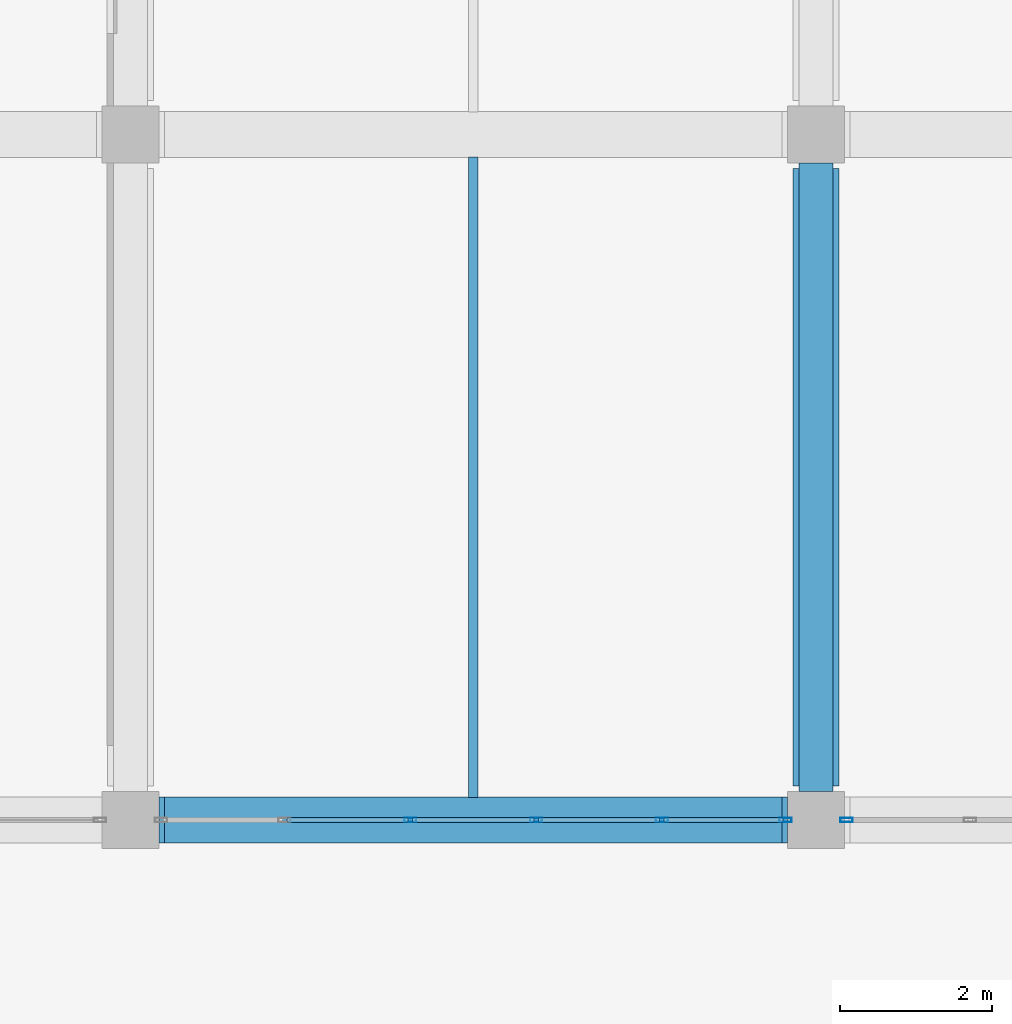
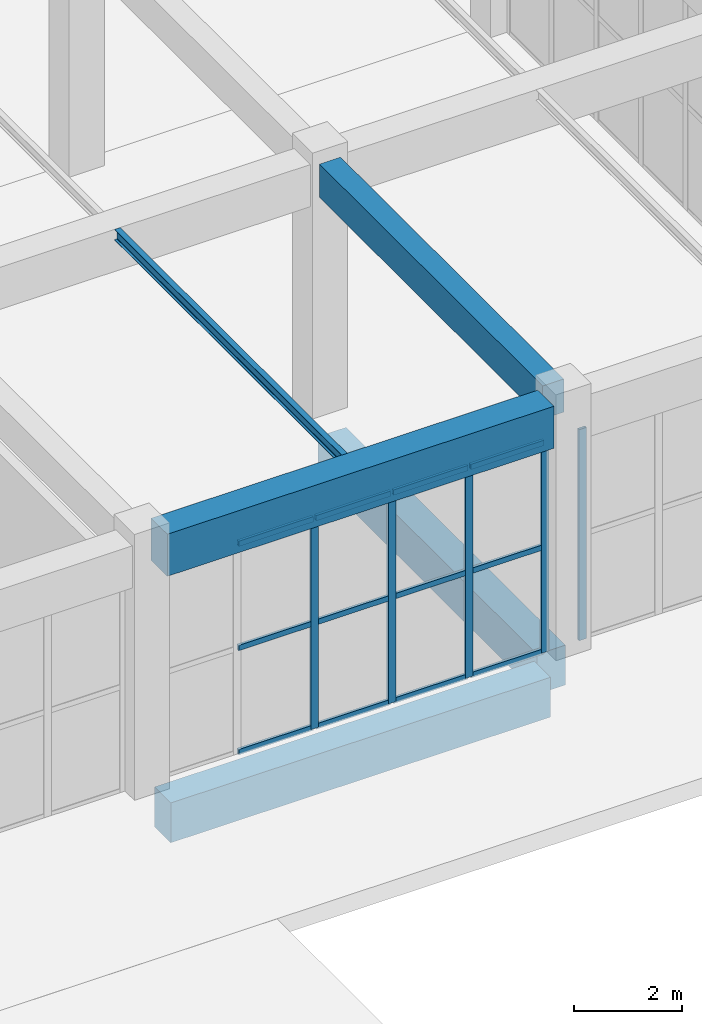
# One storey, part 36 of 91: 17 members, 5 beams, 2 elements without a shape of their own.
"""IFC4 building model written with IfcOpenShell, lengths in metres."""

from ifc_helpers import new_model, si_unit, direction, frame, origin, origin_2d, place, context, subcontext, project, spatial, rectangle, hollow_rectangle, i_section, extrude, material, layer, layer_set, material_profile, profile_set, type_object, element, aggregate, save


model = new_model("IFC4")

# Units and contexts
model_context = context("Model", 3, precision=1e-05, world=origin(), true_north=direction((0.0, 1.0)))
body_context = subcontext(model_context, "Body", "Model", "MODEL_VIEW")
ifc_project = project(units=[si_unit("LENGTHUNIT", "METRE"), si_unit("AREAUNIT", "SQUARE_METRE"), si_unit("VOLUMEUNIT", "CUBIC_METRE"), si_unit("PLANEANGLEUNIT", "RADIAN"), si_unit("MASSUNIT", "GRAM", prefix="KILO")], contexts=[model_context])

# Site, building, storey
site_placement = place(None, origin())
site = spatial("IfcSite", under=ifc_project, at=site_placement, CompositionType="ELEMENT")
building_placement = place(site_placement, origin())
building = spatial("IfcBuilding", under=site, at=building_placement, Name="Dornveld Trade and Exhibition Forum", CompositionType="ELEMENT")
storey_placement = place(building_placement, origin())
storey = spatial("IfcBuildingStorey", under=building, at=storey_placement, Name="L00", CompositionType="ELEMENT", Elevation=0.0)

# Beams
ifc_material_1 = material(Name="Concrete C40/50", Category="concrete")
ifc_material_profile_1 = material_profile(ifc_material_1, rectangle(XDim=0.60009765625, YDim=0.89990234375, at=origin_2d()), Name="RC-GB 600x900")
ifc_profile_set_1 = profile_set([ifc_material_profile_1], Name="Concrete C40/50")
beam_type_1 = type_object("IfcBeamType", Name="BM-GB-600x900", PredefinedType="BEAM", material=ifc_profile_set_1)
for number, where, z_axis, x_axis, name in (
    (1, (198.446044921875, 108.0, -0.842041015625), (1.0, 0.0, 0.0), (0.0, 1.0, 0.0), "L00 X-girder 526"),
    (2, (207.0, 108.446044921875, -0.830078125), (0.0, 1.0, 0.0), (-1.0, 0.0, 0.0), "L00 Y-girder 559"),
):
    element("IfcBeam", number, at=place(storey_placement, frame(where, z_axis=z_axis, x_axis=x_axis)), inside=storey, type_object=beam_type_1, Name=name, PredefinedType="BEAM", context=body_context, shape_type="SweptSolid", body=[
        extrude(rectangle(XDim=0.60009765625, YDim=0.89990234375, at=origin_2d()), origin(), (0.0, 0.0, 1.0), 8.10791015625),
    ])
ifc_material_2 = material(Name="Steel S355J2", Category="steel")
ifc_material_profile_2 = material_profile(ifc_material_2, i_section(OverallWidth=0.1201171875, OverallDepth=0.239990234375, WebThickness=0.006103515625, FlangeThickness=0.009765625, FilletRadius=0.014892578125, at=origin_2d()), Name="IPE 240")
ifc_profile_set_2 = profile_set([ifc_material_profile_2], Name="Steel S355J2")
beam_type_2 = type_object("IfcBeamType", Name="BM-JOIST-240", PredefinedType="JOIST", material=ifc_profile_set_2)
beam_1_placement = place(storey_placement, frame((202.5, 108.297119140625, 5.580078125), z_axis=(0.0, 1.0, 0.0), x_axis=(-1.0, 0.0, 0.0)))
element("IfcBeam", 3, at=beam_1_placement, inside=storey, type_object=beam_type_2, Name="L00 secondary joist 1013", PredefinedType="JOIST", context=body_context, shape_type="SweptSolid", body=[
    extrude(i_section(OverallWidth=0.1201171875, OverallDepth=0.239990234375, WebThickness=0.006103515625, FlangeThickness=0.009765625, FilletRadius=0.014892578125, at=origin_2d()), origin(), (0.0, 0.0, 1.0), 8.40576171875),
])
ifc_material_3 = material(Name="Precast concrete C50/60", Category="concrete")
ifc_material_profile_3 = material_profile(ifc_material_3, rectangle(XDim=0.449951171875, YDim=0.75, at=origin_2d()), Name="PC-BM 450x750")
ifc_profile_set_3 = profile_set([ifc_material_profile_3], Name="Precast concrete C50/60")
beam_type_3 = type_object("IfcBeamType", Name="BM-PC-450x750", PredefinedType="BEAM", material=ifc_profile_set_3)
beam_2_placement = place(storey_placement, frame((207.0, 108.37109375, 5.324951171875), z_axis=(0.0, 1.0, 0.0), x_axis=(-1.0, 0.0, 0.0)))
element("IfcBeam", 4, at=beam_2_placement, inside=storey, type_object=beam_type_3, Name="L00 Y-girder 995", PredefinedType="BEAM", context=body_context, shape_type="SweptSolid", body=[
    extrude(rectangle(XDim=0.449951171875, YDim=0.75, at=origin_2d()), origin(), (0.0, 0.0, 1.0), 8.2578125),
])
ifc_material_4 = material(Name="Precast concrete C50/60", Category="concrete")
ifc_material_profile_4 = material_profile(ifc_material_4, rectangle(XDim=0.60009765625, YDim=0.949951171875, at=origin_2d()), Name="PC-GIR 600x950")
ifc_profile_set_4 = profile_set([ifc_material_profile_4], Name="Precast concrete C50/60")
beam_type_4 = type_object("IfcBeamType", Name="BM-PC-600x950", PredefinedType="T_BEAM", material=ifc_profile_set_4)
beam_3_placement = place(storey_placement, frame((198.37109375, 108.0, 5.22509765625), z_axis=(1.0, 0.0, 0.0), x_axis=(0.0, 1.0, 0.0)))
element("IfcBeam", 5, at=beam_3_placement, inside=storey, type_object=beam_type_4, Name="L00 X-girder 958", PredefinedType="T_BEAM", context=body_context, shape_type="SweptSolid", body=[
    extrude(rectangle(XDim=0.60009765625, YDim=0.949951171875, at=origin_2d()), origin(), (0.0, 0.0, 1.0), 8.2578125),
])

# Curtain wall, members
ifc_material_5 = material(Name="Dark-bronze anodised aluminium and low-E glass", Category="aluminium")
ifc_layer_1 = layer(ifc_material_5, 0.166015625)
ifc_layer_set_1 = layer_set([ifc_layer_1], Name="Dark-bronze anodised aluminium and low-E glass")
curtain_wall_type_1 = type_object("IfcCurtainWallType", Name="CW-SYS-08", PredefinedType="USERDEFINED", material=ifc_layer_set_1)
curtain_wall_1_placement = place(storey_placement, origin())
curtain_wall_1 = element("IfcCurtainWall", 6, at=curtain_wall_1_placement, inside=storey, type_object=curtain_wall_type_1, Name="L00 unitised curtain wall 98", ObjectType="UNITISED_CURTAIN_WALL", PredefinedType="USERDEFINED")
ifc_material_6 = material(Name="Dark-bronze anodised aluminium", Category="aluminium")
ifc_material_profile_5 = material_profile(ifc_material_6, hollow_rectangle(XDim=0.06005859375, YDim=0.159912109375, WallThickness=0.00390625, at=origin_2d()), Name="RHS 160x60x4")
ifc_profile_set_5 = profile_set([ifc_material_profile_5], Name="Dark-bronze anodised aluminium")
member_type_1 = type_object("IfcMemberType", Name="CW-MUL-160", PredefinedType="MULLION", material=ifc_profile_set_5)
member_1_placement = place(storey_placement, frame((201.67431640625, 108.0, -0.00390625), z_axis=(0.0, 0.0, 1.0), x_axis=(0.0, 1.0, 0.0)))
member_1 = element("IfcMember", 7, at=member_1_placement, type_object=member_type_1, Name="CW-08 mullion 3", PredefinedType="MULLION", context=body_context, shape_type="SweptSolid", body=[
    extrude(hollow_rectangle(XDim=0.06005859375, YDim=0.159912109375, WallThickness=0.00390625, at=origin_2d()), origin(), (0.0, 0.0, 1.0), 4.763916015625),
])
member_2_placement = place(storey_placement, frame((203.32568359375, 108.0, -0.00390625), z_axis=(0.0, 0.0, 1.0), x_axis=(0.0, 1.0, 0.0)))
member_2 = element("IfcMember", 8, at=member_2_placement, type_object=member_type_1, Name="CW-08 mullion 4", PredefinedType="MULLION", context=body_context, shape_type="SweptSolid", body=[
    extrude(hollow_rectangle(XDim=0.06005859375, YDim=0.159912109375, WallThickness=0.00390625, at=origin_2d()), origin(), (0.0, 0.0, 1.0), 4.763916015625),
])
member_3_placement = place(storey_placement, frame((204.977294921875, 108.0, -0.00390625), z_axis=(0.0, 0.0, 1.0), x_axis=(0.0, 1.0, 0.0)))
member_3 = element("IfcMember", 9, at=member_3_placement, type_object=member_type_1, Name="CW-08 mullion 5", PredefinedType="MULLION", context=body_context, shape_type="SweptSolid", body=[
    extrude(hollow_rectangle(XDim=0.06005859375, YDim=0.159912109375, WallThickness=0.00390625, at=origin_2d()), origin(), (0.0, 0.0, 1.0), 4.763916015625),
])
member_4_placement = place(storey_placement, frame((206.59912109375, 108.0, -0.00390625), z_axis=(0.0, 0.0, 1.0), x_axis=(0.0, 1.0, 0.0)))
member_4 = element("IfcMember", 10, at=member_4_placement, type_object=member_type_1, Name="CW-08 mullion 6", PredefinedType="MULLION", context=body_context, shape_type="SweptSolid", body=[
    extrude(hollow_rectangle(XDim=0.06005859375, YDim=0.159912109375, WallThickness=0.00390625, at=origin_2d()), origin(), (0.0, 0.0, 1.0), 4.763916015625),
])

# Curtain wall, member
ifc_material_7 = material(Name="Dark-bronze anodised aluminium and low-E glass", Category="aluminium")
ifc_layer_2 = layer(ifc_material_7, 0.1689453125)
ifc_layer_set_2 = layer_set([ifc_layer_2], Name="Dark-bronze anodised aluminium and low-E glass")
curtain_wall_type_2 = type_object("IfcCurtainWallType", Name="CW-SYS-09", PredefinedType="USERDEFINED", material=ifc_layer_set_2)
curtain_wall_2_placement = place(storey_placement, origin())
curtain_wall_2 = element("IfcCurtainWall", 11, at=curtain_wall_2_placement, inside=storey, type_object=curtain_wall_type_2, Name="L00 unitised curtain wall 99", ObjectType="UNITISED_CURTAIN_WALL", PredefinedType="USERDEFINED")
member_5_placement = place(storey_placement, frame((207.40087890625, 108.0, -0.00390625), z_axis=(0.0, 0.0, 1.0), x_axis=(0.0, 1.0, 0.0)))
member_5 = element("IfcMember", 12, at=member_5_placement, type_object=member_type_1, Name="CW-09 mullion 1", PredefinedType="MULLION", context=body_context, shape_type="SweptSolid", body=[
    extrude(hollow_rectangle(XDim=0.06005859375, YDim=0.159912109375, WallThickness=0.00390625, at=origin_2d()), origin(), (0.0, 0.0, 1.0), 4.763916015625),
])
aggregate(curtain_wall_2, [member_5])

# Member
ifc_material_8 = material(Name="Dark-bronze anodised aluminium", Category="aluminium")
ifc_material_profile_6 = material_profile(ifc_material_8, hollow_rectangle(XDim=0.06005859375, YDim=0.1201171875, WallThickness=0.00390625, at=origin_2d()), Name="RHS 120x60x4")
ifc_profile_set_6 = profile_set([ifc_material_profile_6], Name="Dark-bronze anodised aluminium")
member_type_2 = type_object("IfcMemberType", Name="CW-TRN-120", PredefinedType="USERDEFINED", material=ifc_profile_set_6)
member_6_placement = place(storey_placement, frame((200.052490234375, 108.0, 0.02587890625), z_axis=(1.0, 0.0, 0.0), x_axis=(0.0, 1.0, 0.0)))
member_6 = element("IfcMember", 13, at=member_6_placement, type_object=member_type_2, Name="CW-08 transom 2.1", ObjectType="TRANSOM", PredefinedType="USERDEFINED", context=body_context, shape_type="SweptSolid", body=[
    extrude(hollow_rectangle(XDim=0.06005859375, YDim=0.1201171875, WallThickness=0.00390625, at=origin_2d()), origin(), (0.0, 0.0, 1.0), 1.591796875),
])

member_7_placement = place(storey_placement, frame((200.052490234375, 108.0, 2.3779296875), z_axis=(1.0, 0.0, 0.0), x_axis=(0.0, 1.0, 0.0)))
member_7 = element("IfcMember", 14, at=member_7_placement, type_object=member_type_2, Name="CW-08 transom 2.2", ObjectType="TRANSOM", PredefinedType="USERDEFINED", context=body_context, shape_type="SweptSolid", body=[
    extrude(hollow_rectangle(XDim=0.06005859375, YDim=0.1201171875, WallThickness=0.00390625, at=origin_2d()), origin(), (0.0, 0.0, 1.0), 1.591796875),
])

member_8_placement = place(storey_placement, frame((200.052490234375, 108.0, 4.72998046875), z_axis=(1.0, 0.0, 0.0), x_axis=(0.0, 1.0, 0.0)))
member_8 = element("IfcMember", 15, at=member_8_placement, type_object=member_type_2, Name="CW-08 transom 2.3", ObjectType="TRANSOM", PredefinedType="USERDEFINED", context=body_context, shape_type="SweptSolid", body=[
    extrude(hollow_rectangle(XDim=0.06005859375, YDim=0.1201171875, WallThickness=0.00390625, at=origin_2d()), origin(), (0.0, 0.0, 1.0), 1.591796875),
])

member_9_placement = place(storey_placement, frame((201.7041015625, 108.0, 0.02587890625), z_axis=(1.0, 0.0, 0.0), x_axis=(0.0, 1.0, 0.0)))
member_9 = element("IfcMember", 16, at=member_9_placement, type_object=member_type_2, Name="CW-08 transom 3.1", ObjectType="TRANSOM", PredefinedType="USERDEFINED", context=body_context, shape_type="SweptSolid", body=[
    extrude(hollow_rectangle(XDim=0.06005859375, YDim=0.1201171875, WallThickness=0.00390625, at=origin_2d()), origin(), (0.0, 0.0, 1.0), 1.591796875),
])

member_10_placement = place(storey_placement, frame((201.7041015625, 108.0, 2.3779296875), z_axis=(1.0, 0.0, 0.0), x_axis=(0.0, 1.0, 0.0)))
member_10 = element("IfcMember", 17, at=member_10_placement, type_object=member_type_2, Name="CW-08 transom 3.2", ObjectType="TRANSOM", PredefinedType="USERDEFINED", context=body_context, shape_type="SweptSolid", body=[
    extrude(hollow_rectangle(XDim=0.06005859375, YDim=0.1201171875, WallThickness=0.00390625, at=origin_2d()), origin(), (0.0, 0.0, 1.0), 1.591796875),
])

member_11_placement = place(storey_placement, frame((201.7041015625, 108.0, 4.72998046875), z_axis=(1.0, 0.0, 0.0), x_axis=(0.0, 1.0, 0.0)))
member_11 = element("IfcMember", 18, at=member_11_placement, type_object=member_type_2, Name="CW-08 transom 3.3", ObjectType="TRANSOM", PredefinedType="USERDEFINED", context=body_context, shape_type="SweptSolid", body=[
    extrude(hollow_rectangle(XDim=0.06005859375, YDim=0.1201171875, WallThickness=0.00390625, at=origin_2d()), origin(), (0.0, 0.0, 1.0), 1.591796875),
])

member_12_placement = place(storey_placement, frame((203.355712890625, 108.0, 0.02587890625), z_axis=(1.0, 0.0, 0.0), x_axis=(0.0, 1.0, 0.0)))
member_12 = element("IfcMember", 19, at=member_12_placement, type_object=member_type_2, Name="CW-08 transom 4.1", ObjectType="TRANSOM", PredefinedType="USERDEFINED", context=body_context, shape_type="SweptSolid", body=[
    extrude(hollow_rectangle(XDim=0.06005859375, YDim=0.1201171875, WallThickness=0.00390625, at=origin_2d()), origin(), (0.0, 0.0, 1.0), 1.591796875),
])

member_13_placement = place(storey_placement, frame((203.355712890625, 108.0, 2.3779296875), z_axis=(1.0, 0.0, 0.0), x_axis=(0.0, 1.0, 0.0)))
member_13 = element("IfcMember", 20, at=member_13_placement, type_object=member_type_2, Name="CW-08 transom 4.2", ObjectType="TRANSOM", PredefinedType="USERDEFINED", context=body_context, shape_type="SweptSolid", body=[
    extrude(hollow_rectangle(XDim=0.06005859375, YDim=0.1201171875, WallThickness=0.00390625, at=origin_2d()), origin(), (0.0, 0.0, 1.0), 1.591796875),
])

member_14_placement = place(storey_placement, frame((203.355712890625, 108.0, 4.72998046875), z_axis=(1.0, 0.0, 0.0), x_axis=(0.0, 1.0, 0.0)))
member_14 = element("IfcMember", 21, at=member_14_placement, type_object=member_type_2, Name="CW-08 transom 4.3", ObjectType="TRANSOM", PredefinedType="USERDEFINED", context=body_context, shape_type="SweptSolid", body=[
    extrude(hollow_rectangle(XDim=0.06005859375, YDim=0.1201171875, WallThickness=0.00390625, at=origin_2d()), origin(), (0.0, 0.0, 1.0), 1.591796875),
])

member_15_placement = place(storey_placement, frame((205.00732421875, 108.0, 0.02587890625), z_axis=(1.0, 0.0, 0.0), x_axis=(0.0, 1.0, 0.0)))
member_15 = element("IfcMember", 22, at=member_15_placement, type_object=member_type_2, Name="CW-08 transom 5.1", ObjectType="TRANSOM", PredefinedType="USERDEFINED", context=body_context, shape_type="SweptSolid", body=[
    extrude(hollow_rectangle(XDim=0.06005859375, YDim=0.1201171875, WallThickness=0.00390625, at=origin_2d()), origin(), (0.0, 0.0, 1.0), 1.561767578125),
])

member_16_placement = place(storey_placement, frame((205.00732421875, 108.0, 2.3779296875), z_axis=(1.0, 0.0, 0.0), x_axis=(0.0, 1.0, 0.0)))
member_16 = element("IfcMember", 23, at=member_16_placement, type_object=member_type_2, Name="CW-08 transom 5.2", ObjectType="TRANSOM", PredefinedType="USERDEFINED", context=body_context, shape_type="SweptSolid", body=[
    extrude(hollow_rectangle(XDim=0.06005859375, YDim=0.1201171875, WallThickness=0.00390625, at=origin_2d()), origin(), (0.0, 0.0, 1.0), 1.561767578125),
])

member_17_placement = place(storey_placement, frame((205.00732421875, 108.0, 4.72998046875), z_axis=(1.0, 0.0, 0.0), x_axis=(0.0, 1.0, 0.0)))
member_17 = element("IfcMember", 24, at=member_17_placement, type_object=member_type_2, Name="CW-08 transom 5.3", ObjectType="TRANSOM", PredefinedType="USERDEFINED", context=body_context, shape_type="SweptSolid", body=[
    extrude(hollow_rectangle(XDim=0.06005859375, YDim=0.1201171875, WallThickness=0.00390625, at=origin_2d()), origin(), (0.0, 0.0, 1.0), 1.561767578125),
])

aggregate(curtain_wall_1, [member_1, member_2, member_3, member_4, member_6, member_7, member_8, member_9, member_10, member_11, member_12, member_13, member_14, member_15, member_16, member_17])

save(model, "model.ifc")
